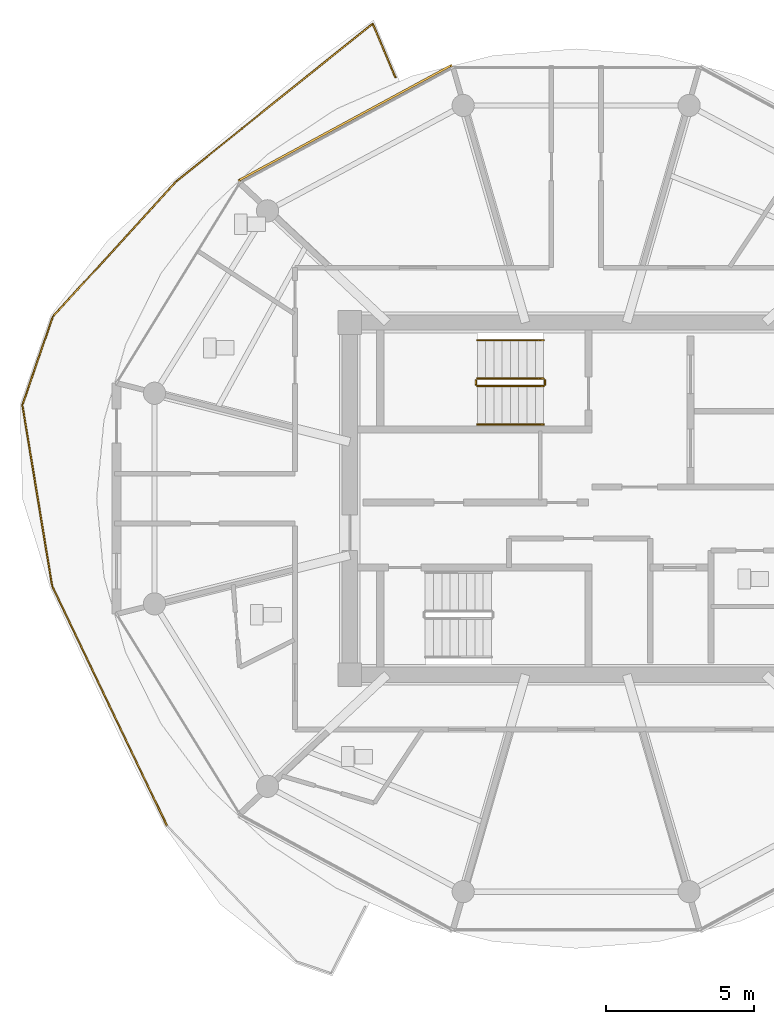
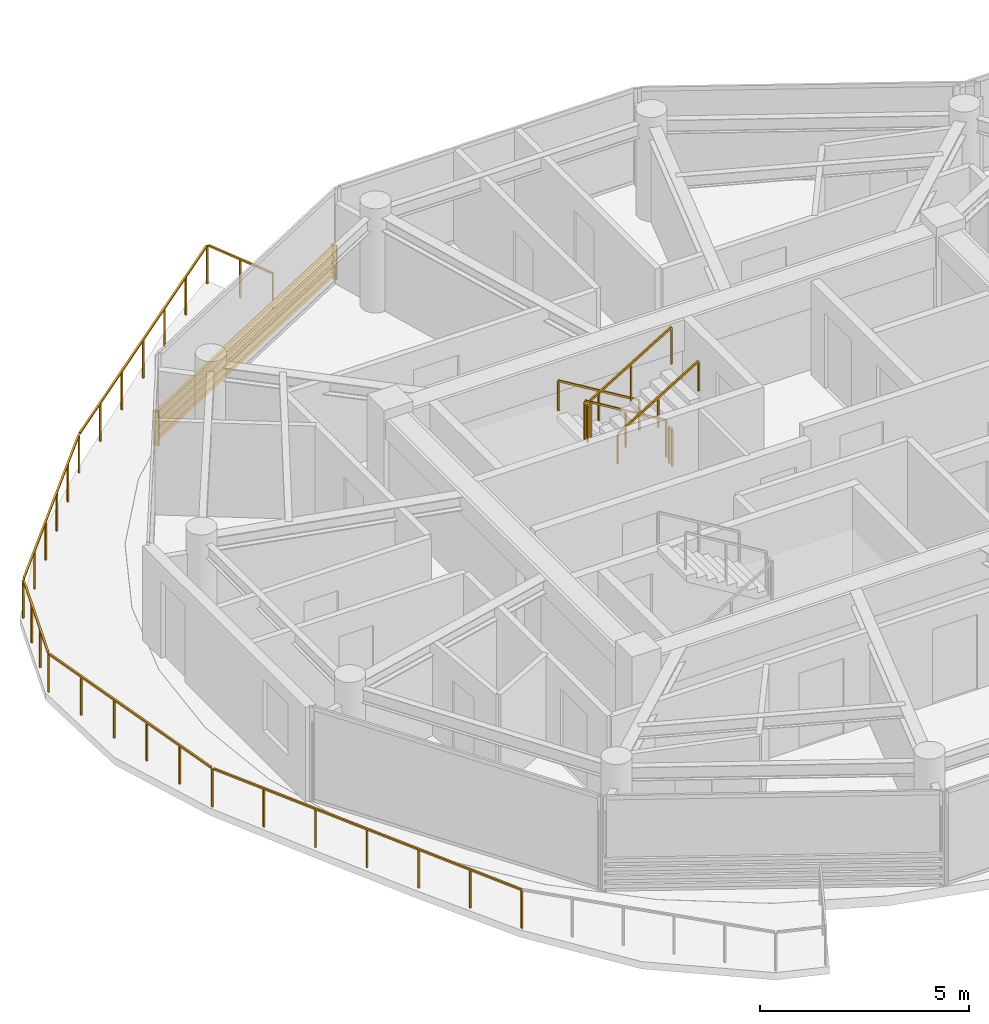
# One storey, part 23 of 26: 7 railings, 1 shading device.
"""IFC4 building model written with IfcOpenShell, lengths in metres."""

from ifc_helpers import new_model, si_unit, direction, frame, origin, origin_2d, place, context, subcontext, project, spatial, rectangle, extrude, source, transform, mapped, material, type_object, type_shapes, element, save


model = new_model("IFC4")

# Units and contexts
model_context = context("Model", 3, precision=1e-05, world=origin(), true_north=direction((0.0, 1.0)))
body_context = subcontext(model_context, "Body", "Model", "MODEL_VIEW")
ifc_project = project(units=[si_unit("LENGTHUNIT", "METRE"), si_unit("AREAUNIT", "SQUARE_METRE"), si_unit("VOLUMEUNIT", "CUBIC_METRE"), si_unit("PLANEANGLEUNIT", "RADIAN"), si_unit("MASSUNIT", "GRAM", prefix="KILO")], contexts=[model_context])

# Site, building, storey
site_placement = place(None, origin())
site = spatial("IfcSite", under=ifc_project, at=site_placement, CompositionType="ELEMENT")
building_placement = place(site_placement, origin())
building = spatial("IfcBuilding", under=site, at=building_placement, Name="Norrkilde Senior Care Towers", CompositionType="ELEMENT")
storey_placement = place(building_placement, frame((0.0, 0.0, 210.85009765625)))
storey = spatial("IfcBuildingStorey", under=building, at=storey_placement, Name="L65", CompositionType="ELEMENT", Elevation=210.85009765625)

# Railings
ifc_material_1 = material(Name="Anodised Aluminium", Category="aluminium")
railing_type_1 = type_object("IfcRailingType", Name="Balcony Swirl Ribbon Guardrail 1150", PredefinedType="GUARDRAIL", material=ifc_material_1)
railing_1_placement = place(storey_placement, frame((-41.824951171875, -11.055908203125, 0.0)))
element("IfcRailing", 1, at=railing_1_placement, inside=storey, type_object=railing_type_1, Name="L65 Perimeter Safety Guard 03", PredefinedType="GUARDRAIL", context=body_context, shape_type="SweptSolid", body=[
    extrude(rectangle(XDim=0.048095703125, YDim=0.048095703125, at=origin_2d()), frame((0.0, 0.0, 1.1259765625), z_axis=(-0.432116957359, 0.901817573106, 0.0), x_axis=(-0.901817573106, -0.432116957359, 0.0)), (0.0, 0.0, 1.0), 8.94287109375),
    extrude(rectangle(XDim=0.048095703125, YDim=0.048095703125, at=origin_2d()), frame((-3.888671875, 8.14208984375, 1.1259765625), z_axis=(-0.162207125815, 0.986756732095, 0.0), x_axis=(-0.986756732095, -0.162207125815, 0.0)), (0.0, 0.0, 1.0), 6.11474609375),
    extrude(rectangle(XDim=0.048095703125, YDim=0.048095703125, at=origin_2d()), frame((-4.8740234375, 14.2548828125, 1.1259765625), z_axis=(0.325174927685, 0.945653882985, 0.0), x_axis=(-0.945653882985, 0.325174927685, 0.0)), (0.0, 0.0, 1.0), 3.072998046875),
    extrude(rectangle(XDim=0.048095703125, YDim=0.048095703125, at=origin_2d()), frame((-3.833740234375, 17.22998046875, 1.1259765625), z_axis=(0.674201322806, 0.738547612769, 0.0), x_axis=(-0.738547612769, 0.674201322806, 0.0)), (0.0, 0.0, 1.0), 6.12939453125),
    extrude(rectangle(XDim=0.048095703125, YDim=0.048095703125, at=origin_2d()), frame((0.358154296875, 21.8125, 1.1259765625), z_axis=(0.779787842272, 0.626043865112, 0.0), x_axis=(-0.626043865112, 0.779787842272, 0.0)), (0.0, 0.0, 1.0), 8.41064453125),
    extrude(rectangle(XDim=0.048095703125, YDim=0.048095703125, at=origin_2d()), frame((6.96435546875, 27.06591796875, 1.1259765625), z_axis=(0.389761158861, -0.920915978275, 0.0), x_axis=(0.920915978275, 0.389761158861, 0.0)), (0.0, 0.0, 1.0), 1.930908203125),
    extrude(rectangle(XDim=0.0419921875, YDim=0.0419921875, at=origin_2d()), origin(), (0.0, 0.0, 1.0), 1.099853515625),
    extrude(rectangle(XDim=0.0419921875, YDim=0.0419921875, at=origin_2d()), frame((-0.64697265625, 1.350341796875, 0.0)), (0.0, 0.0, 1.0), 1.099853515625),
    extrude(rectangle(XDim=0.0419921875, YDim=0.0419921875, at=origin_2d()), frame((-1.2939453125, 2.70068359375, 0.0)), (0.0, 0.0, 1.0), 1.099853515625),
    extrude(rectangle(XDim=0.0419921875, YDim=0.0419921875, at=origin_2d()), frame((-1.94091796875, 4.05078125, 0.0)), (0.0, 0.0, 1.0), 1.099853515625),
    extrude(rectangle(XDim=0.0419921875, YDim=0.0419921875, at=origin_2d()), frame((-2.588134765625, 5.401123046875, 0.0)), (0.0, 0.0, 1.0), 1.099853515625),
    extrude(rectangle(XDim=0.0419921875, YDim=0.0419921875, at=origin_2d()), frame((-3.235107421875, 6.75146484375, 0.0)), (0.0, 0.0, 1.0), 1.099853515625),
    extrude(rectangle(XDim=0.0419921875, YDim=0.0419921875, at=origin_2d()), frame((-3.882080078125, 8.101806640625, 0.0)), (0.0, 0.0, 1.0), 1.099853515625),
    extrude(rectangle(XDim=0.0419921875, YDim=0.0419921875, at=origin_2d()), frame((-4.0830078125, 9.32470703125, 0.0)), (0.0, 0.0, 1.0), 1.099853515625),
    extrude(rectangle(XDim=0.0419921875, YDim=0.0419921875, at=origin_2d()), frame((-4.2841796875, 10.547607421875, 0.0)), (0.0, 0.0, 1.0), 1.099853515625),
    extrude(rectangle(XDim=0.0419921875, YDim=0.0419921875, at=origin_2d()), frame((-4.485107421875, 11.7705078125, 0.0)), (0.0, 0.0, 1.0), 1.099853515625),
    extrude(rectangle(XDim=0.0419921875, YDim=0.0419921875, at=origin_2d()), frame((-4.686279296875, 12.993408203125, 0.0)), (0.0, 0.0, 1.0), 1.099853515625),
    extrude(rectangle(XDim=0.0419921875, YDim=0.0419921875, at=origin_2d()), frame((-4.88720703125, 14.21630859375, 0.0)), (0.0, 0.0, 1.0), 1.099853515625),
    extrude(rectangle(XDim=0.0419921875, YDim=0.0419921875, at=origin_2d()), frame((-4.545166015625, 15.210693359375, 0.0)), (0.0, 0.0, 1.0), 1.099853515625),
    extrude(rectangle(XDim=0.0419921875, YDim=0.0419921875, at=origin_2d()), frame((-4.203369140625, 16.205322265625, 0.0)), (0.0, 0.0, 1.0), 1.099853515625),
    extrude(rectangle(XDim=0.0419921875, YDim=0.0419921875, at=origin_2d()), frame((-3.861328125, 17.19970703125, 0.0)), (0.0, 0.0, 1.0), 1.099853515625),
    extrude(rectangle(XDim=0.0419921875, YDim=0.0419921875, at=origin_2d()), frame((-3.02392578125, 18.1171875, 0.0)), (0.0, 0.0, 1.0), 1.099853515625),
    extrude(rectangle(XDim=0.0419921875, YDim=0.0419921875, at=origin_2d()), frame((-2.186279296875, 19.03466796875, 0.0)), (0.0, 0.0, 1.0), 1.099853515625),
    extrude(rectangle(XDim=0.0419921875, YDim=0.0419921875, at=origin_2d()), frame((-1.348876953125, 19.951904296875, 0.0)), (0.0, 0.0, 1.0), 1.099853515625),
    extrude(rectangle(XDim=0.0419921875, YDim=0.0419921875, at=origin_2d()), frame((-0.51123046875, 20.869384765625, 0.0)), (0.0, 0.0, 1.0), 1.099853515625),
    extrude(rectangle(XDim=0.0419921875, YDim=0.0419921875, at=origin_2d()), frame((0.326171875, 21.786865234375, 0.0)), (0.0, 0.0, 1.0), 1.099853515625),
    extrude(rectangle(XDim=0.0419921875, YDim=0.0419921875, at=origin_2d()), frame((1.429931640625, 22.6728515625, 0.0)), (0.0, 0.0, 1.0), 1.099853515625),
    extrude(rectangle(XDim=0.0419921875, YDim=0.0419921875, at=origin_2d()), frame((2.53369140625, 23.55908203125, 0.0)), (0.0, 0.0, 1.0), 1.099853515625),
    extrude(rectangle(XDim=0.0419921875, YDim=0.0419921875, at=origin_2d()), frame((3.63720703125, 24.4453125, 0.0)), (0.0, 0.0, 1.0), 1.099853515625),
    extrude(rectangle(XDim=0.0419921875, YDim=0.0419921875, at=origin_2d()), frame((4.740966796875, 25.331298828125, 0.0)), (0.0, 0.0, 1.0), 1.099853515625),
    extrude(rectangle(XDim=0.0419921875, YDim=0.0419921875, at=origin_2d()), frame((5.8447265625, 26.21728515625, 0.0)), (0.0, 0.0, 1.0), 1.099853515625),
    extrude(rectangle(XDim=0.0419921875, YDim=0.0419921875, at=origin_2d()), frame((6.948486328125, 27.103515625, 0.0)), (0.0, 0.0, 1.0), 1.099853515625),
    extrude(rectangle(XDim=0.0419921875, YDim=0.0419921875, at=origin_2d()), frame((7.332763671875, 26.195556640625, 0.0)), (0.0, 0.0, 1.0), 1.099853515625),
    extrude(rectangle(XDim=0.0419921875, YDim=0.0419921875, at=origin_2d()), frame((7.717041015625, 25.28759765625, 0.0)), (0.0, 0.0, 1.0), 1.099853515625),
])
ifc_material_2 = material(Name="Stainless Steel", Category="steel")
railing_type_2 = type_object("IfcRailingType", Name="Stair and Terrace Guardrail 1100", PredefinedType="GUARDRAIL", material=ifc_material_2)
railing_2_placement = place(storey_placement, frame((-29.10009765625, 4.050048828125, 0.16943359375)))
element("IfcRailing", 2, at=railing_2_placement, inside=storey, type_object=railing_type_2, Name="L65 ST-W1 stair guard 1", PredefinedType="GUARDRAIL", context=body_context, shape_type="SweptSolid", body=[
    extrude(rectangle(XDim=0.048095703125, YDim=0.048095703125, at=origin_2d()), frame((0.0, 0.0, 1.076171875), z_axis=(-0.855553338991, 0.0, 0.51771467445), x_axis=(0.0, -1.0, 0.0)), (0.0, 0.0, 1.0), 2.6181640625),
    extrude(rectangle(XDim=0.0419921875, YDim=0.0419921875, at=origin_2d()), origin(), (0.0, 0.0, 1.0), 1.050048828125),
    extrude(rectangle(XDim=0.0419921875, YDim=0.0419921875, at=origin_2d()), frame((-1.1201171875, 0.0, 0.677734375)), (0.0, 0.0, 1.0), 1.050048828125),
    extrude(rectangle(XDim=0.0419921875, YDim=0.0419921875, at=origin_2d()), frame((-2.239990234375, 0.0, 1.35546875)), (0.0, 0.0, 1.0), 1.050048828125),
])
railing_3_placement = place(storey_placement, frame((-31.389892578125, 4.0, 1.52490234375)))
element("IfcRailing", 3, at=railing_3_placement, inside=storey, type_object=railing_type_2, Name="L65 ST-W1 stair guard 2", PredefinedType="GUARDRAIL", context=body_context, shape_type="SweptSolid", body=[
    extrude(rectangle(XDim=0.048095703125, YDim=0.048095703125, at=origin_2d()), frame((0.0, 0.0, 1.076171875), z_axis=(0.0, -1.0, 0.0), x_axis=(1.0, 0.0, 0.0)), (0.0, 0.0, 1.0), 0.14990234375),
    extrude(rectangle(XDim=0.0419921875, YDim=0.0419921875, at=origin_2d()), origin(), (0.0, 0.0, 1.0), 1.050048828125),
    extrude(rectangle(XDim=0.0419921875, YDim=0.0419921875, at=origin_2d()), frame((0.0, -0.14990234375, 0.0)), (0.0, 0.0, 1.0), 1.050048828125),
])
railing_4_placement = place(storey_placement, frame((-31.340087890625, 3.800048828125, 1.6943359375)))
element("IfcRailing", 4, at=railing_4_placement, inside=storey, type_object=railing_type_2, Name="L65 ST-W1 stair guard 3", PredefinedType="GUARDRAIL", context=body_context, shape_type="SweptSolid", body=[
    extrude(rectangle(XDim=0.048095703125, YDim=0.048095703125, at=origin_2d()), frame((0.0, 0.0, 1.076171875), z_axis=(0.855553338991, 0.0, 0.51771467445), x_axis=(0.0, 1.0, 0.0)), (0.0, 0.0, 1.0), 2.6181640625),
    extrude(rectangle(XDim=0.0419921875, YDim=0.0419921875, at=origin_2d()), origin(), (0.0, 0.0, 1.0), 1.050048828125),
    extrude(rectangle(XDim=0.0419921875, YDim=0.0419921875, at=origin_2d()), frame((1.1201171875, 0.0, 0.677734375)), (0.0, 0.0, 1.0), 1.050048828125),
    extrude(rectangle(XDim=0.0419921875, YDim=0.0419921875, at=origin_2d()), frame((2.239990234375, 0.0, 1.35546875)), (0.0, 0.0, 1.0), 1.050048828125),
])
railing_5_placement = place(storey_placement, frame((-29.050048828125, 4.0, 0.0)))
element("IfcRailing", 5, at=railing_5_placement, inside=storey, type_object=railing_type_2, Name="L65 ST-W1 stair guard 4", PredefinedType="GUARDRAIL", context=body_context, shape_type="SweptSolid", body=[
    extrude(rectangle(XDim=0.048095703125, YDim=0.048095703125, at=origin_2d()), frame((0.0, 0.0, 1.076171875), z_axis=(0.0, -1.0, 0.0), x_axis=(1.0, 0.0, 0.0)), (0.0, 0.0, 1.0), 0.14990234375),
    extrude(rectangle(XDim=0.0419921875, YDim=0.0419921875, at=origin_2d()), origin(), (0.0, 0.0, 1.0), 1.050048828125),
    extrude(rectangle(XDim=0.0419921875, YDim=0.0419921875, at=origin_2d()), frame((0.0, -0.14990234375, 0.0)), (0.0, 0.0, 1.0), 1.050048828125),
])
ifc_material_3 = material(Name="Nordic Ash Timber", Category="wood")
railing_type_3 = type_object("IfcRailingType", Name="Wall and Stair Handrail 900", PredefinedType="HANDRAIL", material=ifc_material_3)
railing_6_placement = place(storey_placement, frame((-29.10009765625, 5.35009765625, 0.16943359375)))
element("IfcRailing", 6, at=railing_6_placement, inside=storey, type_object=railing_type_3, Name="L65 ST-W1 stair handrail 1", PredefinedType="HANDRAIL", context=body_context, shape_type="SweptSolid", body=[
    extrude(rectangle(XDim=0.048095703125, YDim=0.048095703125, at=origin_2d()), frame((0.0, 0.0, 0.8759765625), z_axis=(-0.855553338991, 0.0, 0.51771467445), x_axis=(0.0, -1.0, 0.0)), (0.0, 0.0, 1.0), 2.6181640625),
    extrude(rectangle(XDim=0.0419921875, YDim=0.0419921875, at=origin_2d()), origin(), (0.0, 0.0, 1.0), 0.849853515625),
    extrude(rectangle(XDim=0.0419921875, YDim=0.0419921875, at=origin_2d()), frame((-1.1201171875, 0.0, 0.677734375)), (0.0, 0.0, 1.0), 0.849853515625),
    extrude(rectangle(XDim=0.0419921875, YDim=0.0419921875, at=origin_2d()), frame((-2.239990234375, 0.0, 1.35546875)), (0.0, 0.0, 1.0), 0.849853515625),
])
railing_7_placement = place(storey_placement, frame((-31.340087890625, 2.5, 1.6943359375)))
element("IfcRailing", 7, at=railing_7_placement, inside=storey, type_object=railing_type_3, Name="L65 ST-W1 stair handrail 2", PredefinedType="HANDRAIL", context=body_context, shape_type="SweptSolid", body=[
    extrude(rectangle(XDim=0.048095703125, YDim=0.048095703125, at=origin_2d()), frame((0.0, 0.0, 0.8759765625), z_axis=(0.855553338991, 0.0, 0.51771467445), x_axis=(0.0, 1.0, 0.0)), (0.0, 0.0, 1.0), 2.6181640625),
    extrude(rectangle(XDim=0.0419921875, YDim=0.0419921875, at=origin_2d()), origin(), (0.0, 0.0, 1.0), 0.849853515625),
    extrude(rectangle(XDim=0.0419921875, YDim=0.0419921875, at=origin_2d()), frame((1.1201171875, 0.0, 0.677734375)), (0.0, 0.0, 1.0), 0.849853515625),
    extrude(rectangle(XDim=0.0419921875, YDim=0.0419921875, at=origin_2d()), frame((2.239990234375, 0.0, 1.35546875)), (0.0, 0.0, 1.0), 0.849853515625),
])

# Shading device
ifc_material_4 = material(Name="Architectural Terracotta", Category="masonry")
shading_device_type = type_object("IfcShadingDeviceType", Name="Horizontal Terracotta Baguette Rack", PredefinedType="USERDEFINED", material=ifc_material_4)
shared_shape = source(origin(), body_context, "Body", "SweptSolid", [
    extrude(rectangle(XDim=0.070068359375, YDim=0.110107421875, at=origin_2d()), frame((0.0, 0.090087890625, 0.125), z_axis=(1.0, 0.0, 0.0), x_axis=(0.0, 1.0, 0.0)), (0.0, 0.0, 1.0), 8.197265625),
    extrude(rectangle(XDim=0.070068359375, YDim=0.110107421875, at=origin_2d()), frame((0.0, 0.090087890625, 0.375), z_axis=(1.0, 0.0, 0.0), x_axis=(0.0, 1.0, 0.0)), (0.0, 0.0, 1.0), 8.197265625),
    extrude(rectangle(XDim=0.070068359375, YDim=0.110107421875, at=origin_2d()), frame((0.0, 0.090087890625, 0.625), z_axis=(1.0, 0.0, 0.0), x_axis=(0.0, 1.0, 0.0)), (0.0, 0.0, 1.0), 8.197265625),
    extrude(rectangle(XDim=0.070068359375, YDim=0.110107421875, at=origin_2d()), frame((0.0, 0.090087890625, 0.875), z_axis=(1.0, 0.0, 0.0), x_axis=(0.0, 1.0, 0.0)), (0.0, 0.0, 1.0), 8.197265625),
    extrude(rectangle(XDim=0.050048828125, YDim=0.1552734375, at=origin_2d()), frame((0.02490234375, 0.047607421875, 0.0)), (0.0, 0.0, 1.0), 1.0),
    extrude(rectangle(XDim=0.050048828125, YDim=0.1552734375, at=origin_2d()), frame((8.17236328125, 0.047607421875, 0.0)), (0.0, 0.0, 1.0), 1.0),
])
type_shapes(shading_device_type, [shared_shape])
shading_device_placement = place(storey_placement, frame((-39.370361328125, 10.6630859375, 0.079833984375), z_axis=(0.0, 0.0, 1.0), x_axis=(0.879378127234, 0.476143674053, 0.0)))
element("IfcShadingDevice", 8, at=shading_device_placement, inside=storey, type_object=shading_device_type, Name="L65 Drum W Terracotta Baguette Screen 03", ObjectType="BAGUETTE", PredefinedType="USERDEFINED", context=body_context, shape_type="MappedRepresentation", body=[
    mapped(shared_shape, transform((0.0, 0.0, 0.0), x_axis=(1.0, 0.0, 0.0), y_axis=(0.0, 1.0, 0.0), z_axis=(0.0, 0.0, 1.0), scale=1.0)),
])

save(model, "model.ifc")
